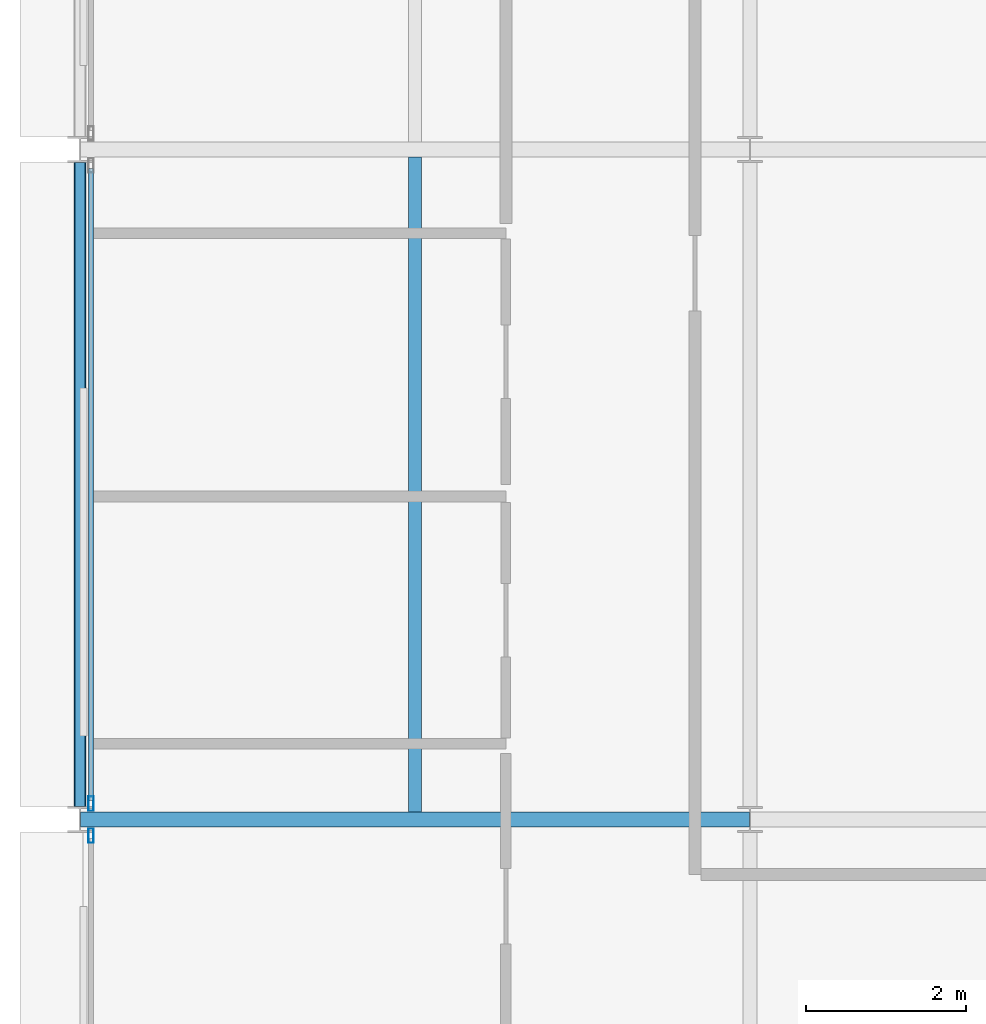
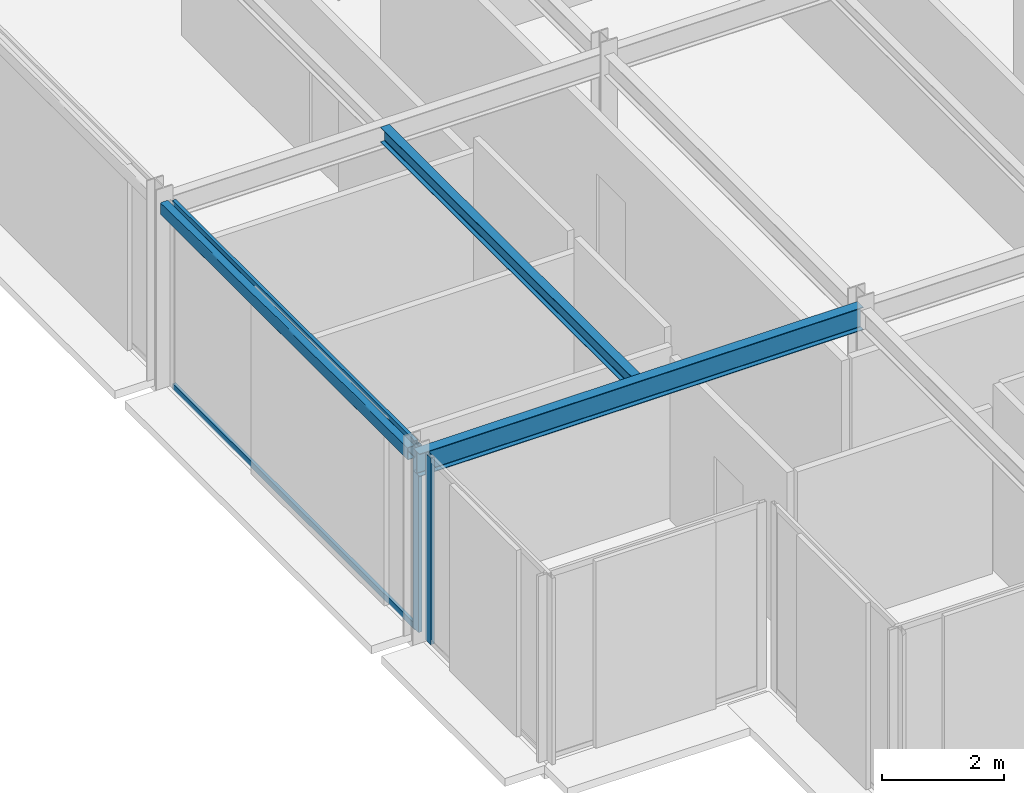
# One storey, part 5 of 27: 4 members, 3 beams, 2 elements without a shape of their own.
"""IFC4 building model written with IfcOpenShell, lengths in metres."""

from ifc_helpers import new_model, si_unit, direction, frame, origin, origin_2d, place, context, subcontext, project, spatial, hollow_rectangle, i_section, extrude, material, layer, layer_set, material_profile, profile_set, type_object, element, aggregate, save


model = new_model("IFC4")

# Units and contexts
model_context = context("Model", 3, precision=1e-05, world=origin(), true_north=direction((0.0, 1.0)))
body_context = subcontext(model_context, "Body", "Model", "MODEL_VIEW")
ifc_project = project(units=[si_unit("LENGTHUNIT", "METRE"), si_unit("AREAUNIT", "SQUARE_METRE"), si_unit("VOLUMEUNIT", "CUBIC_METRE"), si_unit("PLANEANGLEUNIT", "RADIAN"), si_unit("MASSUNIT", "GRAM", prefix="KILO")], contexts=[model_context])

# Site, building, storey
site_placement = place(None, origin())
site = spatial("IfcSite", under=ifc_project, at=site_placement, CompositionType="ELEMENT")
building_placement = place(site_placement, origin())
building = spatial("IfcBuilding", under=site, at=building_placement, Name="Nerrivon Quay Data Exchange", CompositionType="ELEMENT")
storey_placement = place(building_placement, frame((0.0, 0.0, 278.199951171875)))
storey = spatial("IfcBuildingStorey", under=building, at=storey_placement, Name="L66", CompositionType="ELEMENT", Elevation=278.199951171875)

# Beams
ifc_material_1 = material(Name="Steel Grade 350", Category="steel")
ifc_material_profile_1 = material_profile(ifc_material_1, i_section(OverallWidth=0.18994140625, OverallDepth=0.4541015625, WebThickness=0.008544921875, FlangeThickness=0.0126953125, FilletRadius=0.011474609375, at=origin_2d()), Name="460UB67.1")
ifc_profile_set_1 = profile_set([ifc_material_profile_1], Name="Steel Grade 350")
beam_type_1 = type_object("IfcBeamType", Name="BM-G6-460UB67", PredefinedType="BEAM", material=ifc_profile_set_1)
beam_1_placement = place(storey_placement, frame((0.0078125, 8.39990234375, 3.498046875), z_axis=(1.0, 0.0, 0.0), x_axis=(0.0, 1.0, 0.0)))
element("IfcBeam", 1, at=beam_1_placement, inside=storey, type_object=beam_type_1, Name="L66 EW Girder Y=8.4 (0.0..8.4)", PredefinedType="BEAM", context=body_context, shape_type="SweptSolid", body=[
    extrude(i_section(OverallWidth=0.18994140625, OverallDepth=0.4541015625, WebThickness=0.008544921875, FlangeThickness=0.0126953125, FilletRadius=0.011474609375, at=origin_2d()), origin(), (0.0, 0.0, 1.0), 8.38427734375),
])
ifc_material_profile_2 = material_profile(ifc_material_1, i_section(OverallWidth=0.1650390625, OverallDepth=0.303955078125, WebThickness=0.006103515625, FlangeThickness=0.01025390625, FilletRadius=0.011474609375, at=origin_2d()), Name="310UB40.4")
ifc_profile_set_2 = profile_set([ifc_material_profile_2], Name="Steel Grade 350")
beam_type_2 = type_object("IfcBeamType", Name="BM-J6-310UB40", PredefinedType="JOIST", material=ifc_profile_set_2)
beam_2_placement = place(storey_placement, frame((4.199951171875, 8.4951171875, 3.572998046875), z_axis=(0.0, 1.0, 0.0), x_axis=(-1.0, 0.0, 0.0)))
element("IfcBeam", 2, at=beam_2_placement, inside=storey, type_object=beam_type_2, Name="L66 Secondary Joist X=4.2 (8.4..16.8)", PredefinedType="JOIST", context=body_context, shape_type="SweptSolid", body=[
    extrude(i_section(OverallWidth=0.1650390625, OverallDepth=0.303955078125, WebThickness=0.006103515625, FlangeThickness=0.01025390625, FilletRadius=0.011474609375, at=origin_2d()), origin(), (0.0, 0.0, 1.0), 8.2099609375),
])
ifc_material_2 = material(Name="Steel Grade C350L0 (350 MPa)", Category="steel")
ifc_material_profile_3 = material_profile(ifc_material_2, hollow_rectangle(XDim=0.14990234375, YDim=0.25, WallThickness=0.009033203125, InnerFilletRadius=0.013427734375, OuterFilletRadius=0.0224609375, at=origin_2d()), Name="250x150x9.0RHS")
ifc_profile_set_3 = profile_set([ifc_material_profile_3], Name="Steel Grade C350L0 (350 MPa)")
beam_type_3 = type_object("IfcBeamType", Name="BM-SP4-250x150RHS", PredefinedType="SPANDREL", material=ifc_profile_set_3)
beam_3_placement = place(storey_placement, frame((0.0, 8.5634765625, 3.60009765625), z_axis=(0.0, 1.0, 0.0), x_axis=(-1.0, 0.0, 0.0)))
element("IfcBeam", 3, at=beam_3_placement, inside=storey, type_object=beam_type_3, Name="L66 NS Girder X=0.0 (8.4..16.8)", PredefinedType="SPANDREL", context=body_context, shape_type="SweptSolid", body=[
    extrude(hollow_rectangle(XDim=0.14990234375, YDim=0.25, WallThickness=0.009033203125, InnerFilletRadius=0.013427734375, OuterFilletRadius=0.0224609375, at=origin_2d()), origin(), (0.0, 0.0, 1.0), 8.072998046875),
])

# Curtain wall, member
ifc_material_3 = material(Name="Anodised aluminium 6063-T6", Category="aluminium")
ifc_layer = layer(ifc_material_3, 0.195068359375)
ifc_layer_set = layer_set([ifc_layer], Name="Anodised aluminium 6063-T6")
curtain_wall_type = type_object("IfcCurtainWallType", Name="CW-SYS-06", PredefinedType="NOTDEFINED", material=ifc_layer_set)
curtain_wall_1_placement = place(storey_placement, origin())
curtain_wall_1 = element("IfcCurtainWall", 4, at=curtain_wall_1_placement, inside=storey, type_object=curtain_wall_type, Name="L66 Unitised Curtain Wall 11", PredefinedType="NOTDEFINED")
ifc_material_profile_4 = material_profile(ifc_material_3, hollow_rectangle(XDim=0.06494140625, YDim=0.179931640625, WallThickness=0.00341796875, at=origin_2d()), Name="ALU-MULL-180x65")
ifc_profile_set_4 = profile_set([ifc_material_profile_4], Name="Anodised aluminium 6063-T6")
member_type_1 = type_object("IfcMemberType", Name="CWM-180x65", PredefinedType="MULLION", material=ifc_profile_set_4)
member_1_placement = place(storey_placement, frame((0.139892578125, 8.198974609375, 0.0), z_axis=(0.0, 0.0, 1.0), x_axis=(-1.0, 0.0, 0.0)))
member_1 = element("IfcMember", 5, at=member_1_placement, type_object=member_type_1, Name="CW06 mullion 2", PredefinedType="MULLION", context=body_context, shape_type="SweptSolid", body=[
    extrude(hollow_rectangle(XDim=0.06494140625, YDim=0.179931640625, WallThickness=0.00341796875, at=origin_2d()), origin(), (0.0, 0.0, 1.0), 3.72509765625),
])
aggregate(curtain_wall_1, [member_1])

# Curtain wall, members
curtain_wall_2_placement = place(storey_placement, origin())
curtain_wall_2 = element("IfcCurtainWall", 6, at=curtain_wall_2_placement, inside=storey, type_object=curtain_wall_type, Name="L66 Unitised Curtain Wall 12", PredefinedType="NOTDEFINED")
member_2_placement = place(storey_placement, frame((0.139892578125, 8.60107421875, 0.0), z_axis=(0.0, 0.0, 1.0), x_axis=(-1.0, 0.0, 0.0)))
member_2 = element("IfcMember", 7, at=member_2_placement, type_object=member_type_1, Name="CW06 mullion 1", PredefinedType="MULLION", context=body_context, shape_type="SweptSolid", body=[
    extrude(hollow_rectangle(XDim=0.06494140625, YDim=0.179931640625, WallThickness=0.00341796875, at=origin_2d()), origin(), (0.0, 0.0, 1.0), 3.72509765625),
])
ifc_material_profile_5 = material_profile(ifc_material_3, hollow_rectangle(XDim=0.06005859375, YDim=0.1201171875, WallThickness=0.003173828125, at=origin_2d()), Name="ALU-TRAN-120x60")
ifc_profile_set_5 = profile_set([ifc_material_profile_5], Name="Anodised aluminium 6063-T6")
member_type_2 = type_object("IfcMemberType", Name="CWT-120x60", PredefinedType="USERDEFINED", material=ifc_profile_set_5)
member_3_placement = place(storey_placement, frame((0.139892578125, 8.638427734375, 0.032470703125), z_axis=(0.0, 1.0, 0.0), x_axis=(-1.0, 0.0, 0.0)))
member_3 = element("IfcMember", 8, at=member_3_placement, type_object=member_type_2, Name="CW06 transom 1.1", ObjectType="TRANSOM", PredefinedType="USERDEFINED", context=body_context, shape_type="SweptSolid", body=[
    extrude(hollow_rectangle(XDim=0.06005859375, YDim=0.1201171875, WallThickness=0.003173828125, at=origin_2d()), origin(), (0.0, 0.0, 1.0), 7.923095703125),
])
member_4_placement = place(storey_placement, frame((0.139892578125, 8.638427734375, 3.692626953125), z_axis=(0.0, 1.0, 0.0), x_axis=(-1.0, 0.0, 0.0)))
member_4 = element("IfcMember", 9, at=member_4_placement, type_object=member_type_2, Name="CW06 transom 1.2", ObjectType="TRANSOM", PredefinedType="USERDEFINED", context=body_context, shape_type="SweptSolid", body=[
    extrude(hollow_rectangle(XDim=0.06005859375, YDim=0.1201171875, WallThickness=0.003173828125, at=origin_2d()), origin(), (0.0, 0.0, 1.0), 7.923095703125),
])
aggregate(curtain_wall_2, [member_2, member_3, member_4])

save(model, "model.ifc")
